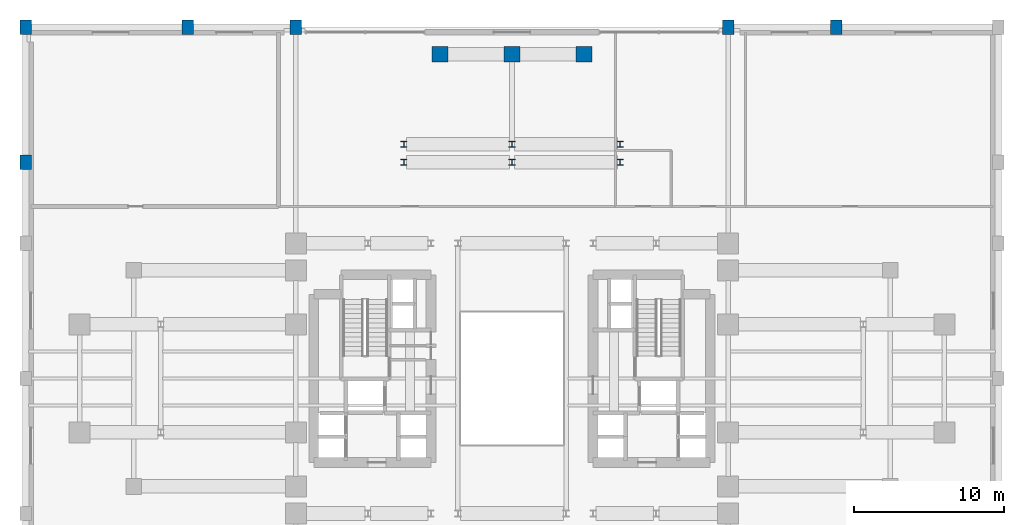
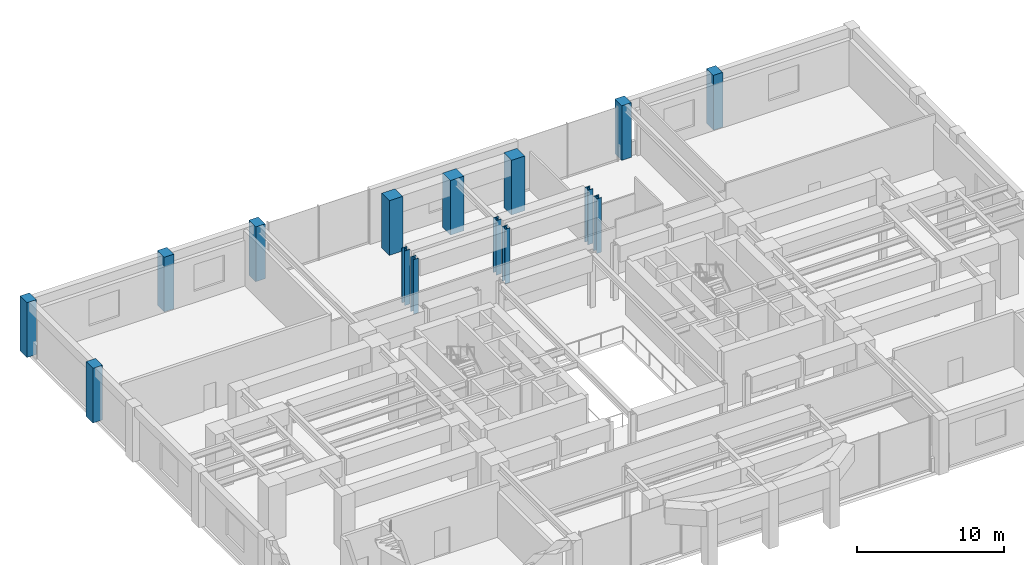
# One storey, part 2 of 14: 15 columns.
"""IFC4 building model written with IfcOpenShell, lengths in metres."""

from ifc_helpers import new_model, si_unit, direction, frame, origin, origin_2d, place, context, subcontext, project, spatial, rectangle, i_section, extrude, source, transform, mapped, material, material_profile, profile_set, type_object, element, save


model = new_model("IFC4")

# Units and contexts
model_context = context("Model", 3, precision=1e-05, world=origin(), true_north=direction((0.0, 1.0)))
body_context = subcontext(model_context, "Body", "Model", "MODEL_VIEW")
ifc_project = project(units=[si_unit("LENGTHUNIT", "METRE"), si_unit("AREAUNIT", "SQUARE_METRE"), si_unit("VOLUMEUNIT", "CUBIC_METRE"), si_unit("PLANEANGLEUNIT", "RADIAN"), si_unit("MASSUNIT", "GRAM", prefix="KILO")], contexts=[model_context])

# Site, building, storey
site_placement = place(None, origin())
site = spatial("IfcSite", under=ifc_project, at=site_placement, CompositionType="ELEMENT")
building_placement = place(site_placement, origin())
building = spatial("IfcBuilding", under=site, at=building_placement, Name="Keilestroom Media Tower", CompositionType="ELEMENT")
storey_placement = place(building_placement, frame((0.0, 0.0, 15.60009765625)))
storey = spatial("IfcBuildingStorey", under=building, at=storey_placement, Name="L03", CompositionType="ELEMENT", Elevation=15.60009765625)

# Columns
ifc_material_1 = material(Name="Precast concrete C40/50", Category="concrete")
ifc_material_profile_1 = material_profile(ifc_material_1, rectangle(XDim=0.75, YDim=0.949951171875, at=origin_2d()), Name="PC 950x750")
ifc_profile_set_1 = profile_set([ifc_material_profile_1], Name="Precast concrete C40/50")
column_type_1 = type_object("IfcColumnType", Name="Structural-Column-PC-950x750", PredefinedType="COLUMN", material=ifc_profile_set_1)
shared_shape_1 = source(origin(), body_context, "Body", "SweptSolid", [
    extrude(rectangle(XDim=0.75, YDim=0.949951171875, at=origin_2d()), origin(), (0.0, 0.0, 1.0), 4.5498046875),
])
for number, where, z_axis, x_axis, name in (
    (1, (-32.39990234375, 14.39990234375, 0.0), (0.0, 0.0, 1.0), (1.0, 0.0, 0.0), "L03 Column PC-1 (-32.4,+14.4)"),
    (2, (-32.39990234375, 23.39990234375, 0.0), (0.0, 0.0, 1.0), (1.0, 0.0, 0.0), "L03 Column PC-1 (-32.4,+23.4)"),
    (3, (-21.60009765625, 23.39990234375, 0.0), (0.0, 0.0, 1.0), (1.0, 0.0, 0.0), "L03 Column PC-1 (-21.6,+23.4)"),
    (4, (-14.39990234375, 23.39990234375, 0.0), (0.0, 0.0, 1.0), (1.0, 0.0, 0.0), "L03 Column PC-1 (-14.4,+23.4)"),
    (5, (14.39990234375, 23.39990234375, 0.0), (0.0, 0.0, 1.0), (1.0, 0.0, 0.0), "L03 Column PC-1 (+14.4,+23.4)"),
    (6, (21.60009765625, 23.39990234375, 0.0), (0.0, 0.0, 1.0), (1.0, 0.0, 0.0), "L03 Column PC-1 (+21.6,+23.4)"),
):
    element("IfcColumn", number, at=place(storey_placement, frame(where, z_axis=z_axis, x_axis=x_axis)), inside=storey, type_object=column_type_1, Name=name, PredefinedType="COLUMN", context=body_context, shape_type="MappedRepresentation", body=[
        mapped(shared_shape_1, transform((0.0, 0.0, 0.0), x_axis=(1.0, 0.0, 0.0), y_axis=(0.0, 1.0, 0.0), z_axis=(0.0, 0.0, 1.0), scale=1.0)),
    ])
ifc_material_2 = material(Name="Concrete C55/67", Category="concrete")
ifc_material_profile_2 = material_profile(ifc_material_2, rectangle(XDim=1.050048828125, YDim=1.050048828125, at=origin_2d()), Name="RC 1050x1050")
ifc_profile_set_2 = profile_set([ifc_material_profile_2], Name="Concrete C55/67")
column_type_2 = type_object("IfcColumnType", Name="Structural-Column-RC-1050x1050", PredefinedType="COLUMN", material=ifc_profile_set_2)
shared_shape_2 = source(origin(), body_context, "Body", "SweptSolid", [
    extrude(rectangle(XDim=1.050048828125, YDim=1.050048828125, at=origin_2d()), origin(), (0.0, 0.0, 1.0), 4.5498046875),
])
for number, where, z_axis, x_axis, name in (
    (7, (-4.800048828125, 21.60009765625, 0.0), (0.0, 0.0, 1.0), (1.0, 0.0, 0.0), "L03 Column MC-3 (-4.8,+21.6)"),
    (8, (0.0, 21.60009765625, 0.0), (0.0, 0.0, 1.0), (1.0, 0.0, 0.0), "L03 Column MC-3 (+0.0,+21.6)"),
    (9, (4.800048828125, 21.60009765625, 0.0), (0.0, 0.0, 1.0), (1.0, 0.0, 0.0), "L03 Column MC-3 (+4.8,+21.6)"),
):
    element("IfcColumn", number, at=place(storey_placement, frame(where, z_axis=z_axis, x_axis=x_axis)), inside=storey, type_object=column_type_2, Name=name, PredefinedType="COLUMN", context=body_context, shape_type="MappedRepresentation", body=[
        mapped(shared_shape_2, transform((0.0, 0.0, 0.0), x_axis=(1.0, 0.0, 0.0), y_axis=(0.0, 1.0, 0.0), z_axis=(0.0, 0.0, 1.0), scale=1.0)),
    ])
ifc_material_3 = material(Name="Steel S460", Category="steel")
ifc_material_profile_3 = material_profile(ifc_material_3, i_section(OverallWidth=0.406005859375, OverallDepth=0.416015625, WebThickness=0.02392578125, FlangeThickness=0.0390625, at=origin_2d()), Name="HD 400x382")
ifc_profile_set_3 = profile_set([ifc_material_profile_3], Name="Steel S460")
column_type_3 = type_object("IfcColumnType", Name="Structural-Column-HD-400x382", PredefinedType="COLUMN", material=ifc_profile_set_3)
shared_shape_3 = source(origin(), body_context, "Body", "SweptSolid", [
    extrude(i_section(OverallWidth=0.406005859375, OverallDepth=0.416015625, WebThickness=0.02392578125, FlangeThickness=0.0390625, at=origin_2d()), origin(), (0.0, 0.0, 1.0), 4.5498046875),
])
for number, where, z_axis, x_axis, name in (
    (10, (-7.199951171875, 14.39990234375, 0.0), (0.0, 0.0, 1.0), (1.0, 0.0, 0.0), "L03 Column SC-1 (-7.2,+14.4)"),
    (11, (-7.199951171875, 15.60009765625, 0.0), (0.0, 0.0, 1.0), (1.0, 0.0, 0.0), "L03 Column SC-1 (-7.2,+15.6)"),
    (12, (0.0, 14.39990234375, 0.0), (0.0, 0.0, 1.0), (1.0, 0.0, 0.0), "L03 Column SC-1 (+0.0,+14.4)"),
    (13, (0.0, 15.60009765625, 0.0), (0.0, 0.0, 1.0), (1.0, 0.0, 0.0), "L03 Column SC-1 (+0.0,+15.6)"),
    (14, (7.199951171875, 14.39990234375, 0.0), (0.0, 0.0, 1.0), (1.0, 0.0, 0.0), "L03 Column SC-1 (+7.2,+14.4)"),
    (15, (7.199951171875, 15.60009765625, 0.0), (0.0, 0.0, 1.0), (1.0, 0.0, 0.0), "L03 Column SC-1 (+7.2,+15.6)"),
):
    element("IfcColumn", number, at=place(storey_placement, frame(where, z_axis=z_axis, x_axis=x_axis)), inside=storey, type_object=column_type_3, Name=name, PredefinedType="COLUMN", context=body_context, shape_type="MappedRepresentation", body=[
        mapped(shared_shape_3, transform((0.0, 0.0, 0.0), x_axis=(1.0, 0.0, 0.0), y_axis=(0.0, 1.0, 0.0), z_axis=(0.0, 0.0, 1.0), scale=1.0)),
    ])

save(model, "model.ifc")
